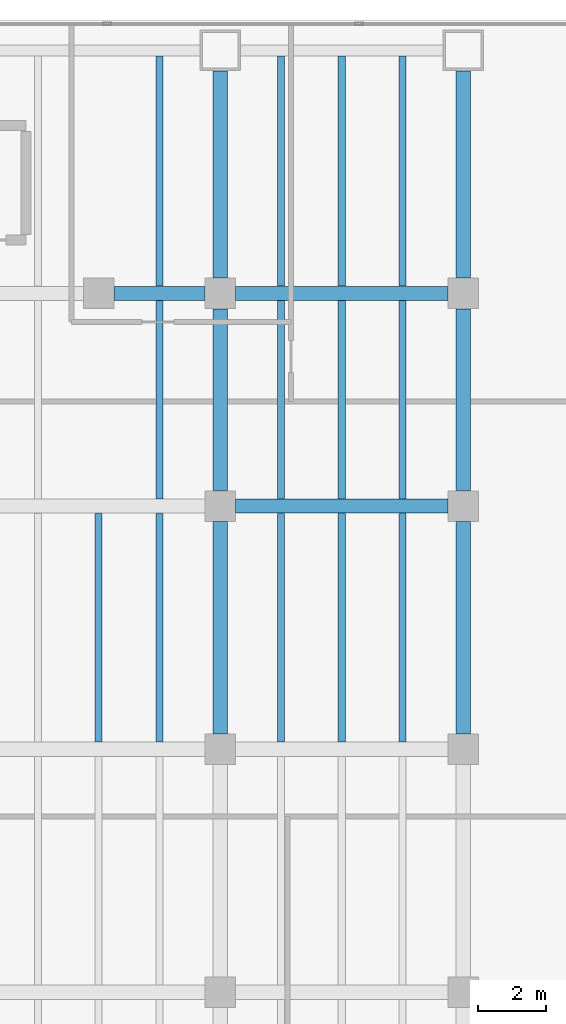
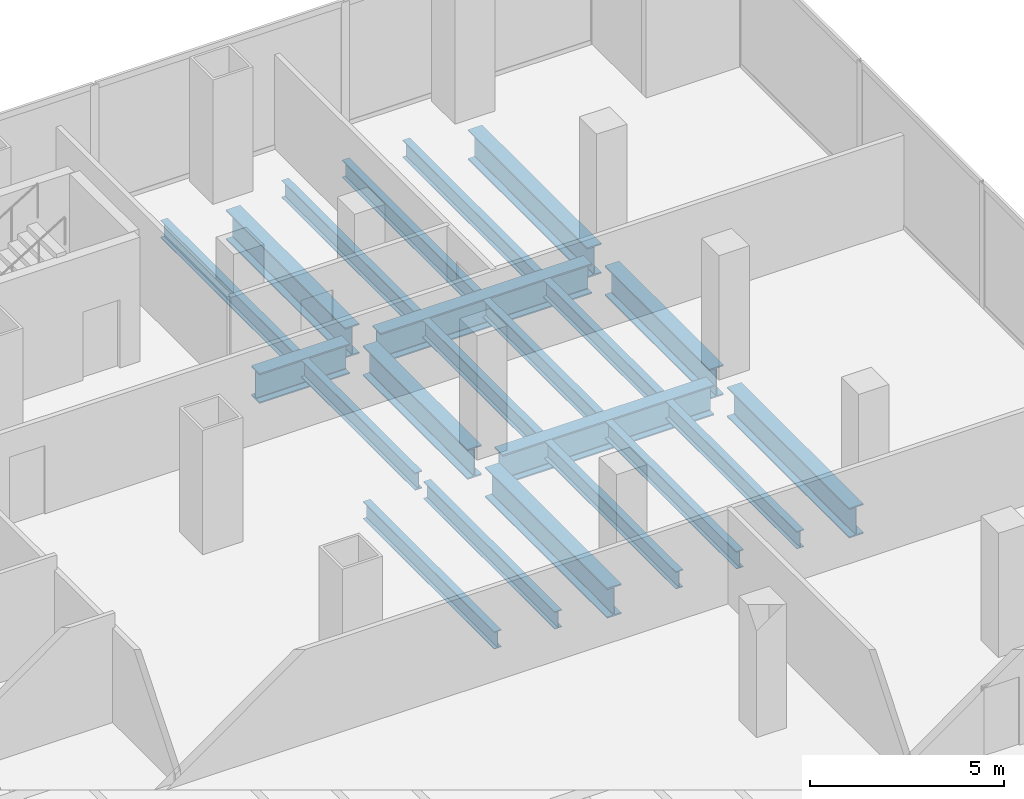
# One storey, part 13 of 29: 22 beams.
"""IFC4 building model written with IfcOpenShell, lengths in metres."""

from ifc_helpers import new_model, si_unit, direction, frame, origin, origin_2d, place, context, subcontext, project, spatial, i_section, extrude, material, material_profile, profile_set, type_object, element, save


model = new_model("IFC4")

# Units and contexts
model_context = context("Model", 3, precision=1e-05, world=origin(), true_north=direction((0.0, 1.0)))
body_context = subcontext(model_context, "Body", "Model", "MODEL_VIEW")
ifc_project = project(units=[si_unit("LENGTHUNIT", "METRE"), si_unit("AREAUNIT", "SQUARE_METRE"), si_unit("VOLUMEUNIT", "CUBIC_METRE"), si_unit("PLANEANGLEUNIT", "RADIAN"), si_unit("MASSUNIT", "GRAM", prefix="KILO")], contexts=[model_context])

# Site, building, storey
site_placement = place(None, origin())
site = spatial("IfcSite", under=ifc_project, at=site_placement, CompositionType="ELEMENT")
building_placement = place(site_placement, origin())
building = spatial("IfcBuilding", under=site, at=building_placement, Name="Cobrela Telecom Tower", CompositionType="ELEMENT")
storey_placement = place(building_placement, frame((0.0, 0.0, 13.64990234375)))
storey = spatial("IfcBuildingStorey", under=building, at=storey_placement, Name="L03", CompositionType="ELEMENT", Elevation=13.64990234375)

# Beams
ifc_material = material(Name="Steel ASTM A992 Grade 50", Category="steel")
ifc_material_profile_1 = material_profile(ifc_material, i_section(OverallWidth=0.424072265625, OverallDepth=0.947021484375, WebThickness=0.02392578125, FlangeThickness=0.042724609375, FilletRadius=0.02392578125, at=origin_2d()), Name="W36X302")
ifc_profile_set_1 = profile_set([ifc_material_profile_1], Name="Steel ASTM A992 Grade 50")
beam_type_1 = type_object("IfcBeamType", Name="BM-GIRD-01", PredefinedType="USERDEFINED", material=ifc_profile_set_1)
beam_1_placement = place(storey_placement, frame((36.455078125, 36.0, -0.7734375), z_axis=(1.0, 0.0, 0.0), x_axis=(0.0, 1.0, 0.0)))
element("IfcBeam", 1, at=beam_1_placement, inside=storey, type_object=beam_type_1, Name="L03 Primary Girder X45", ObjectType="GIRDER", PredefinedType="USERDEFINED", context=body_context, shape_type="SweptSolid", body=[
    extrude(i_section(OverallWidth=0.424072265625, OverallDepth=0.947021484375, WebThickness=0.02392578125, FlangeThickness=0.042724609375, FilletRadius=0.02392578125, at=origin_2d()), origin(), (0.0, 0.0, 1.0), 6.2900390625),
])
beam_2_placement = place(storey_placement, frame((32.85498046875, 42.300048828125, -0.7734375), z_axis=(1.0, 0.0, 0.0), x_axis=(0.0, 1.0, 0.0)))
element("IfcBeam", 2, at=beam_2_placement, inside=storey, type_object=beam_type_1, Name="L03 Primary Girder X50", ObjectType="GIRDER", PredefinedType="USERDEFINED", context=body_context, shape_type="SweptSolid", body=[
    extrude(i_section(OverallWidth=0.424072265625, OverallDepth=0.947021484375, WebThickness=0.02392578125, FlangeThickness=0.042724609375, FilletRadius=0.02392578125, at=origin_2d()), origin(), (0.0, 0.0, 1.0), 2.68994140625),
])
for number, where, z_axis, x_axis, name in (
    (3, (36.455078125, 42.300048828125, -0.7734375), (1.0, 0.0, 0.0), (0.0, 1.0, 0.0), "L03 Primary Girder X51"),
    (4, (36.0, 29.2548828125, -0.7734375), (0.0, 1.0, 0.0), (-1.0, 0.0, 0.0), "L03 Primary Girder Y75"),
):
    element("IfcBeam", number, at=place(storey_placement, frame(where, z_axis=z_axis, x_axis=x_axis)), inside=storey, type_object=beam_type_1, Name=name, ObjectType="GIRDER", PredefinedType="USERDEFINED", context=body_context, shape_type="SweptSolid", body=[
        extrude(i_section(OverallWidth=0.424072265625, OverallDepth=0.947021484375, WebThickness=0.02392578125, FlangeThickness=0.042724609375, FilletRadius=0.02392578125, at=origin_2d()), origin(), (0.0, 0.0, 1.0), 6.2900390625),
    ])
beam_3_placement = place(storey_placement, frame((36.0, 36.455078125, -0.7734375), z_axis=(0.0, 1.0, 0.0), x_axis=(-1.0, 0.0, 0.0)))
element("IfcBeam", 5, at=beam_3_placement, inside=storey, type_object=beam_type_1, Name="L03 Primary Girder Y76", ObjectType="GIRDER", PredefinedType="USERDEFINED", context=body_context, shape_type="SweptSolid", body=[
    extrude(i_section(OverallWidth=0.424072265625, OverallDepth=0.947021484375, WebThickness=0.02392578125, FlangeThickness=0.042724609375, FilletRadius=0.02392578125, at=origin_2d()), origin(), (0.0, 0.0, 1.0), 5.389892578125),
])
beam_4_placement = place(storey_placement, frame((36.0, 42.7548828125, -0.7734375), z_axis=(0.0, 1.0, 0.0), x_axis=(-1.0, 0.0, 0.0)))
element("IfcBeam", 6, at=beam_4_placement, inside=storey, type_object=beam_type_1, Name="L03 Primary Girder Y77", ObjectType="GIRDER", PredefinedType="USERDEFINED", context=body_context, shape_type="SweptSolid", body=[
    extrude(i_section(OverallWidth=0.424072265625, OverallDepth=0.947021484375, WebThickness=0.02392578125, FlangeThickness=0.042724609375, FilletRadius=0.02392578125, at=origin_2d()), origin(), (0.0, 0.0, 1.0), 6.14013671875),
])
beam_5_placement = place(storey_placement, frame((43.199951171875, 29.2548828125, -0.7734375), z_axis=(0.0, 1.0, 0.0), x_axis=(-1.0, 0.0, 0.0)))
element("IfcBeam", 7, at=beam_5_placement, inside=storey, type_object=beam_type_1, Name="L03 Primary Girder Y82", ObjectType="GIRDER", PredefinedType="USERDEFINED", context=body_context, shape_type="SweptSolid", body=[
    extrude(i_section(OverallWidth=0.424072265625, OverallDepth=0.947021484375, WebThickness=0.02392578125, FlangeThickness=0.042724609375, FilletRadius=0.02392578125, at=origin_2d()), origin(), (0.0, 0.0, 1.0), 6.2900390625),
])
beam_6_placement = place(storey_placement, frame((43.199951171875, 36.455078125, -0.7734375), z_axis=(0.0, 1.0, 0.0), x_axis=(-1.0, 0.0, 0.0)))
element("IfcBeam", 8, at=beam_6_placement, inside=storey, type_object=beam_type_1, Name="L03 Primary Girder Y83", ObjectType="GIRDER", PredefinedType="USERDEFINED", context=body_context, shape_type="SweptSolid", body=[
    extrude(i_section(OverallWidth=0.424072265625, OverallDepth=0.947021484375, WebThickness=0.02392578125, FlangeThickness=0.042724609375, FilletRadius=0.02392578125, at=origin_2d()), origin(), (0.0, 0.0, 1.0), 5.389892578125),
])
beam_7_placement = place(storey_placement, frame((43.199951171875, 42.7548828125, -0.7734375), z_axis=(0.0, 1.0, 0.0), x_axis=(-1.0, 0.0, 0.0)))
element("IfcBeam", 9, at=beam_7_placement, inside=storey, type_object=beam_type_1, Name="L03 Primary Girder Y84", ObjectType="GIRDER", PredefinedType="USERDEFINED", context=body_context, shape_type="SweptSolid", body=[
    extrude(i_section(OverallWidth=0.424072265625, OverallDepth=0.947021484375, WebThickness=0.02392578125, FlangeThickness=0.042724609375, FilletRadius=0.02392578125, at=origin_2d()), origin(), (0.0, 0.0, 1.0), 6.14013671875),
])
ifc_material_profile_2 = material_profile(ifc_material, i_section(OverallWidth=0.212890625, OverallDepth=0.549072265625, WebThickness=0.0146484375, FlangeThickness=0.023681640625, FilletRadius=0.013916015625, at=origin_2d()), Name="W21X93")
ifc_profile_set_2 = profile_set([ifc_material_profile_2], Name="Steel ASTM A992 Grade 50")
beam_type_2 = type_object("IfcBeamType", Name="BM-JOIST-01", PredefinedType="JOIST", material=ifc_profile_set_2)
for number, where, z_axis, x_axis, name in (
    (10, (32.39990234375, 29.01708984375, -0.574462890625), (0.0, 1.0, 0.0), (-1.0, 0.0, 0.0), "L03 Secondary Composite Floor Beam J62"),
    (11, (34.199951171875, 29.01708984375, -0.574462890625), (0.0, 1.0, 0.0), (-1.0, 0.0, 0.0), "L03 Secondary Composite Floor Beam J67"),
):
    element("IfcBeam", number, at=place(storey_placement, frame(where, z_axis=z_axis, x_axis=x_axis)), inside=storey, type_object=beam_type_2, Name=name, PredefinedType="JOIST", context=body_context, shape_type="SweptSolid", body=[
        extrude(i_section(OverallWidth=0.212890625, OverallDepth=0.549072265625, WebThickness=0.0146484375, FlangeThickness=0.023681640625, FilletRadius=0.013916015625, at=origin_2d()), origin(), (0.0, 0.0, 1.0), 6.765869140625),
    ])
beam_8_placement = place(storey_placement, frame((34.199951171875, 36.217041015625, -0.574462890625), z_axis=(0.0, 1.0, 0.0), x_axis=(-1.0, 0.0, 0.0)))
element("IfcBeam", 12, at=beam_8_placement, inside=storey, type_object=beam_type_2, Name="L03 Secondary Composite Floor Beam J68", PredefinedType="JOIST", context=body_context, shape_type="SweptSolid", body=[
    extrude(i_section(OverallWidth=0.212890625, OverallDepth=0.549072265625, WebThickness=0.0146484375, FlangeThickness=0.023681640625, FilletRadius=0.013916015625, at=origin_2d()), origin(), (0.0, 0.0, 1.0), 5.865966796875),
])
beam_9_placement = place(storey_placement, frame((34.199951171875, 42.51708984375, -0.574462890625), z_axis=(0.0, 1.0, 0.0), x_axis=(-1.0, 0.0, 0.0)))
element("IfcBeam", 13, at=beam_9_placement, inside=storey, type_object=beam_type_2, Name="L03 Secondary Composite Floor Beam J69", PredefinedType="JOIST", context=body_context, shape_type="SweptSolid", body=[
    extrude(i_section(OverallWidth=0.212890625, OverallDepth=0.549072265625, WebThickness=0.0146484375, FlangeThickness=0.023681640625, FilletRadius=0.013916015625, at=origin_2d()), origin(), (0.0, 0.0, 1.0), 6.81396484375),
])
beam_10_placement = place(storey_placement, frame((37.800048828125, 29.01708984375, -0.574462890625), z_axis=(0.0, 1.0, 0.0), x_axis=(-1.0, 0.0, 0.0)))
element("IfcBeam", 14, at=beam_10_placement, inside=storey, type_object=beam_type_2, Name="L03 Secondary Composite Floor Beam J74", PredefinedType="JOIST", context=body_context, shape_type="SweptSolid", body=[
    extrude(i_section(OverallWidth=0.212890625, OverallDepth=0.549072265625, WebThickness=0.0146484375, FlangeThickness=0.023681640625, FilletRadius=0.013916015625, at=origin_2d()), origin(), (0.0, 0.0, 1.0), 6.765869140625),
])
beam_11_placement = place(storey_placement, frame((37.800048828125, 36.217041015625, -0.574462890625), z_axis=(0.0, 1.0, 0.0), x_axis=(-1.0, 0.0, 0.0)))
element("IfcBeam", 15, at=beam_11_placement, inside=storey, type_object=beam_type_2, Name="L03 Secondary Composite Floor Beam J75", PredefinedType="JOIST", context=body_context, shape_type="SweptSolid", body=[
    extrude(i_section(OverallWidth=0.212890625, OverallDepth=0.549072265625, WebThickness=0.0146484375, FlangeThickness=0.023681640625, FilletRadius=0.013916015625, at=origin_2d()), origin(), (0.0, 0.0, 1.0), 5.865966796875),
])
beam_12_placement = place(storey_placement, frame((37.800048828125, 42.51708984375, -0.574462890625), z_axis=(0.0, 1.0, 0.0), x_axis=(-1.0, 0.0, 0.0)))
element("IfcBeam", 16, at=beam_12_placement, inside=storey, type_object=beam_type_2, Name="L03 Secondary Composite Floor Beam J76", PredefinedType="JOIST", context=body_context, shape_type="SweptSolid", body=[
    extrude(i_section(OverallWidth=0.212890625, OverallDepth=0.549072265625, WebThickness=0.0146484375, FlangeThickness=0.023681640625, FilletRadius=0.013916015625, at=origin_2d()), origin(), (0.0, 0.0, 1.0), 6.81396484375),
])
beam_13_placement = place(storey_placement, frame((39.60009765625, 29.01708984375, -0.574462890625), z_axis=(0.0, 1.0, 0.0), x_axis=(-1.0, 0.0, 0.0)))
element("IfcBeam", 17, at=beam_13_placement, inside=storey, type_object=beam_type_2, Name="L03 Secondary Composite Floor Beam J81", PredefinedType="JOIST", context=body_context, shape_type="SweptSolid", body=[
    extrude(i_section(OverallWidth=0.212890625, OverallDepth=0.549072265625, WebThickness=0.0146484375, FlangeThickness=0.023681640625, FilletRadius=0.013916015625, at=origin_2d()), origin(), (0.0, 0.0, 1.0), 6.765869140625),
])
beam_14_placement = place(storey_placement, frame((39.60009765625, 36.217041015625, -0.574462890625), z_axis=(0.0, 1.0, 0.0), x_axis=(-1.0, 0.0, 0.0)))
element("IfcBeam", 18, at=beam_14_placement, inside=storey, type_object=beam_type_2, Name="L03 Secondary Composite Floor Beam J82", PredefinedType="JOIST", context=body_context, shape_type="SweptSolid", body=[
    extrude(i_section(OverallWidth=0.212890625, OverallDepth=0.549072265625, WebThickness=0.0146484375, FlangeThickness=0.023681640625, FilletRadius=0.013916015625, at=origin_2d()), origin(), (0.0, 0.0, 1.0), 5.865966796875),
])
beam_15_placement = place(storey_placement, frame((39.60009765625, 42.51708984375, -0.574462890625), z_axis=(0.0, 1.0, 0.0), x_axis=(-1.0, 0.0, 0.0)))
element("IfcBeam", 19, at=beam_15_placement, inside=storey, type_object=beam_type_2, Name="L03 Secondary Composite Floor Beam J83", PredefinedType="JOIST", context=body_context, shape_type="SweptSolid", body=[
    extrude(i_section(OverallWidth=0.212890625, OverallDepth=0.549072265625, WebThickness=0.0146484375, FlangeThickness=0.023681640625, FilletRadius=0.013916015625, at=origin_2d()), origin(), (0.0, 0.0, 1.0), 6.81396484375),
])
beam_16_placement = place(storey_placement, frame((41.39990234375, 29.01708984375, -0.574462890625), z_axis=(0.0, 1.0, 0.0), x_axis=(-1.0, 0.0, 0.0)))
element("IfcBeam", 20, at=beam_16_placement, inside=storey, type_object=beam_type_2, Name="L03 Secondary Composite Floor Beam J88", PredefinedType="JOIST", context=body_context, shape_type="SweptSolid", body=[
    extrude(i_section(OverallWidth=0.212890625, OverallDepth=0.549072265625, WebThickness=0.0146484375, FlangeThickness=0.023681640625, FilletRadius=0.013916015625, at=origin_2d()), origin(), (0.0, 0.0, 1.0), 6.765869140625),
])
beam_17_placement = place(storey_placement, frame((41.39990234375, 36.217041015625, -0.574462890625), z_axis=(0.0, 1.0, 0.0), x_axis=(-1.0, 0.0, 0.0)))
element("IfcBeam", 21, at=beam_17_placement, inside=storey, type_object=beam_type_2, Name="L03 Secondary Composite Floor Beam J89", PredefinedType="JOIST", context=body_context, shape_type="SweptSolid", body=[
    extrude(i_section(OverallWidth=0.212890625, OverallDepth=0.549072265625, WebThickness=0.0146484375, FlangeThickness=0.023681640625, FilletRadius=0.013916015625, at=origin_2d()), origin(), (0.0, 0.0, 1.0), 5.865966796875),
])
beam_18_placement = place(storey_placement, frame((41.39990234375, 42.51708984375, -0.574462890625), z_axis=(0.0, 1.0, 0.0), x_axis=(-1.0, 0.0, 0.0)))
element("IfcBeam", 22, at=beam_18_placement, inside=storey, type_object=beam_type_2, Name="L03 Secondary Composite Floor Beam J90", PredefinedType="JOIST", context=body_context, shape_type="SweptSolid", body=[
    extrude(i_section(OverallWidth=0.212890625, OverallDepth=0.549072265625, WebThickness=0.0146484375, FlangeThickness=0.023681640625, FilletRadius=0.013916015625, at=origin_2d()), origin(), (0.0, 0.0, 1.0), 6.81396484375),
])

save(model, "model.ifc")
